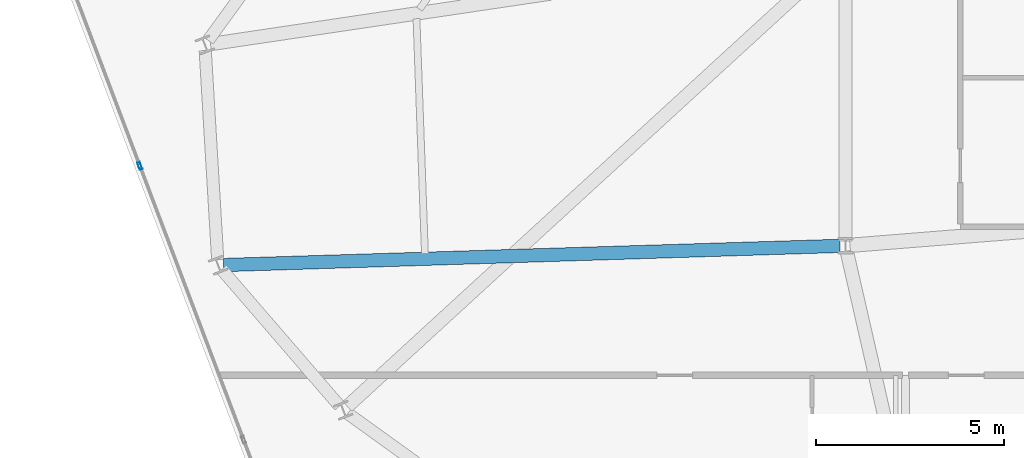
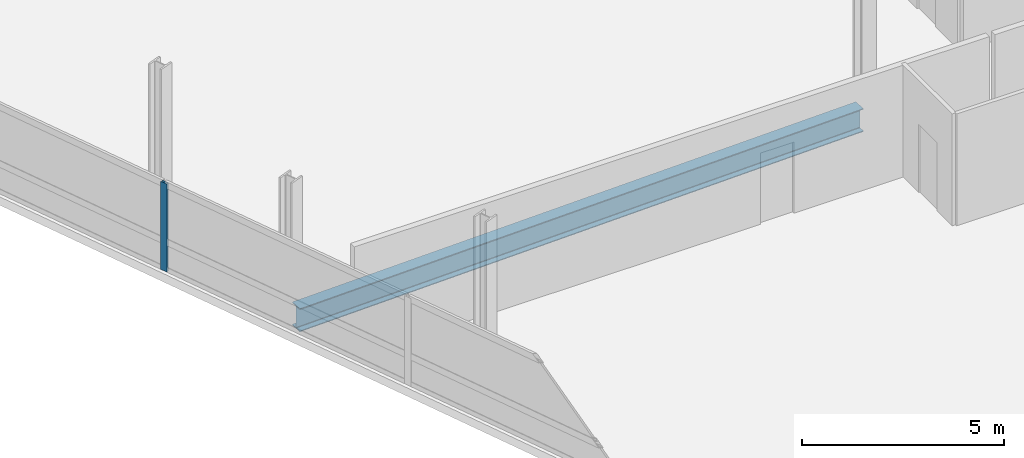
# One storey, part 6 of 19: 1 beam, 1 member, 1 element without a shape of its own.
"""IFC4 building model written with IfcOpenShell, lengths in metres."""

import ifcopenshell
import ifcopenshell.guid

model = None  # the IFC model being written
_history = None  # IfcOwnerHistory: only IFC2X3 demands one
_inside = {}  # id of a spatial element -> (the spatial element, [elements in it])
_under = {}  # id of a project, library or spatial element -> (it, [spatial elements below it])
_declared = {}  # id of a project -> (the project, [libraries it declares])
_typed = {}  # id of a type object -> (the type object, [elements of that type])
_made_of = {}  # id of a material, layer set ... -> (it, [elements and type objects made of it])


def new_model(schema):
    """Start an empty IFC model of exactly this schema.

    Asked for "IFC4X3", IfcOpenShell would pick the latest addendum, in which some entities
    have other attributes; the version numbers below select the first issue.
    IFC2X3 requires an IfcOwnerHistory on every rooted entity: one is made here for all.
    """
    global model, _history
    if schema == "IFC4X3":
        model = ifcopenshell.file(schema_version=(4, 3, 0, 0))
    else:
        model = ifcopenshell.file(schema=schema)
    _inside.clear()
    _under.clear()
    _declared.clear()
    _typed.clear()
    _made_of.clear()
    _history = None
    if model.schema == "IFC2X3":
        org = make("IfcOrganization", Name="unknown")
        user = make(
            "IfcPersonAndOrganization",
            ThePerson=make("IfcPerson", FamilyName="unknown"),
            TheOrganization=org,
        )
        app = make(
            "IfcApplication",
            ApplicationDeveloper=org,
            Version="unknown",
            ApplicationFullName="unknown",
            ApplicationIdentifier="unknown",
        )
        _history = make(
            "IfcOwnerHistory",
            OwningUser=user,
            OwningApplication=app,
            ChangeAction="ADDED",
            CreationDate=0,
        )
    return model


def make(cls, **values):
    """One entity of the class cls with the attributes given. An attribute that is None is left unset."""
    return model.create_entity(
        cls, **{name: value for name, value in values.items() if value is not None}
    )


def rooted(cls, **values):
    """An entity with a GlobalId (a new one), such as an element, a storey or a relation."""
    return make(cls, GlobalId=ifcopenshell.guid.new(), OwnerHistory=_history, **values)


def si_unit(unit_type, name, prefix=None):
    """IfcSIUnit, for example si_unit("LENGTHUNIT", "METRE", prefix="MILLI")."""
    return make("IfcSIUnit", UnitType=unit_type, Prefix=prefix, Name=name)


def assignment(units):
    """IfcUnitAssignment: the units of a project."""
    return None if units is None else make("IfcUnitAssignment", Units=units)


def point(xyz):
    """IfcCartesianPoint."""
    return None if xyz is None else make("IfcCartesianPoint", Coordinates=xyz)


def direction(xyz):
    """IfcDirection."""
    return None if xyz is None else make("IfcDirection", DirectionRatios=xyz)


def frame(location, z_axis=None, x_axis=None):
    """IfcAxis2Placement3D, a coordinate frame: its origin and axes. An axis left out is left unset."""
    return make(
        "IfcAxis2Placement3D",
        Location=point(location),
        Axis=direction(z_axis),
        RefDirection=direction(x_axis),
    )


def frame_2d(location, x_axis=None):
    """IfcAxis2Placement2D, a coordinate frame in the plane: its origin and x axis."""
    return make(
        "IfcAxis2Placement2D", Location=point(location), RefDirection=direction(x_axis)
    )


def origin():
    """The frame at (0, 0, 0) with its axes left unset."""
    return frame((0.0, 0.0, 0.0))


def origin_2d():
    """The frame at (0, 0) in the plane with its x axis left unset."""
    return frame_2d((0.0, 0.0))


def place(relative_to, where):
    """IfcLocalPlacement: puts the frame where relative to a parent placement (None: the world)."""
    return make(
        "IfcLocalPlacement", PlacementRelTo=relative_to, RelativePlacement=where
    )


def context(
    kind, dimensions, precision=None, world=None, true_north=None, identifier=None
):
    """IfcGeometricRepresentationContext, for example the 3D "Model" context."""
    return make(
        "IfcGeometricRepresentationContext",
        ContextIdentifier=identifier,
        ContextType=kind,
        CoordinateSpaceDimension=dimensions,
        Precision=precision,
        WorldCoordinateSystem=world,
        TrueNorth=true_north,
    )


def subcontext(parent, identifier, kind, view, scale=None):
    """IfcGeometricRepresentationSubContext, for example "Body" below "Model"."""
    return make(
        "IfcGeometricRepresentationSubContext",
        ContextIdentifier=identifier,
        ContextType=kind,
        ParentContext=parent,
        TargetScale=scale,
        TargetView=view,
    )


def project(units=None, contexts=None):
    """IfcProject with its units and contexts."""
    return rooted(
        "IfcProject",
        Name="project",
        RepresentationContexts=contexts,
        UnitsInContext=assignment(units),
    )


def spatial(cls, under=None, at=None, **own):
    """A site, building, storey or space (cls), placed at a placement, below another one or the project."""
    s = rooted(cls, ObjectPlacement=at, **own)
    if under is not None:
        _under.setdefault(under.id(), (under, []))[1].append(s)
    return s


def profile(cls, at=None, kind="AREA", **sizes):
    """A parametric profile (cls). Its sizes go by their IFC names, for example OverallWidth=200.0."""
    return make(cls, ProfileType=kind, Position=at, **sizes)


def hollow_rectangle(**sizes):
    """IfcRectangleHollowProfileDef."""
    return profile("IfcRectangleHollowProfileDef", **sizes)


def i_section(**sizes):
    """IfcIShapeProfileDef."""
    return profile("IfcIShapeProfileDef", **sizes)


def extrude(swept, where, along, depth):
    """IfcExtrudedAreaSolid: the profile swept, set in the frame where, extruded along a direction by depth."""
    return make(
        "IfcExtrudedAreaSolid",
        SweptArea=swept,
        Position=where,
        ExtrudedDirection=direction(along),
        Depth=depth,
    )


def shape(context_of_items, identifier, shape_type, items):
    """IfcShapeRepresentation: the items that make up one representation, for example the "Body"."""
    return make(
        "IfcShapeRepresentation",
        ContextOfItems=context_of_items,
        RepresentationIdentifier=identifier,
        RepresentationType=shape_type,
        Items=items,
    )


def material(Name=None, Category=None):
    """IfcMaterial."""
    return make("IfcMaterial", Name=Name, Category=Category)


def layer(
    of_material, thickness, ventilated=None, Name=None, Category=None, Priority=None
):
    """IfcMaterialLayer: one layer of a wall or slab, of a material (None: an air gap)."""
    return make(
        "IfcMaterialLayer",
        Material=of_material,
        LayerThickness=thickness,
        IsVentilated=ventilated,
        Name=Name,
        Category=Category,
        Priority=Priority,
    )


def layer_set(layers, Name=None):
    """IfcMaterialLayerSet."""
    return make("IfcMaterialLayerSet", MaterialLayers=layers, LayerSetName=Name)


def material_profile(
    of_material, cross_section, Name=None, Category=None, Priority=None
):
    """IfcMaterialProfile: a cross section and its material."""
    return make(
        "IfcMaterialProfile",
        Name=Name,
        Material=of_material,
        Profile=cross_section,
        Priority=Priority,
        Category=Category,
    )


def profile_set(profiles, Name=None, composite=None):
    """IfcMaterialProfileSet."""
    return make(
        "IfcMaterialProfileSet",
        Name=Name,
        MaterialProfiles=profiles,
        CompositeProfile=composite,
    )


def made_of(thing, what):
    """Note that an element or type object is made of a material, layer set ...; save() writes the relation."""
    if what is not None:
        _made_of.setdefault(what.id(), (what, []))[1].append(thing)
    return thing


def type_object(cls, material=None, **own):
    """A type object (cls), such as IfcWallType, which elements share."""
    return made_of(rooted(cls, **own), material)


def element(
    cls,
    number,
    at=None,
    inside=None,
    cuts=None,
    type_object=None,
    material=None,
    context=None,
    identifier="Body",
    shape_type=None,
    held_by="IfcProductDefinitionShape",
    body=None,
    shapes=None,
    **own,
):
    """One element of the class cls, such as IfcWall. Its Tag is "e" and its number.

    at: its placement. inside: the storey or other place that contains it. cuts: it is an
    opening in that element (IfcRelVoidsElement). A single representation is given by context,
    identifier, shape_type and body (its items); several are given by shapes. held_by: the class
    of the entity that holds the representations. save() writes the other relations.
    """
    e = rooted(cls, Tag="e%d" % number, ObjectPlacement=at, **own)
    if body is not None:
        shapes = [shape(context, identifier, shape_type, body)]
    if shapes is not None:
        e.Representation = make(held_by, Representations=shapes)
    if inside is not None:
        _inside.setdefault(inside.id(), (inside, []))[1].append(e)
    if cuts is not None:
        rooted(
            "IfcRelVoidsElement", RelatingBuildingElement=cuts, RelatedOpeningElement=e
        )
    if type_object is not None:
        _typed.setdefault(type_object.id(), (type_object, []))[1].append(e)
    return made_of(e, material)


def aggregate(whole, parts):
    """IfcRelAggregates: a whole, such as a stair, and the parts it consists of."""
    return rooted("IfcRelAggregates", RelatingObject=whole, RelatedObjects=parts)


def save(model, path):
    """Write the relations noted so far, then the file.

    IfcRelAggregates (storeys below a building ...), IfcRelContainedInSpatialStructure (elements
    in a storey), IfcRelDefinesByType, IfcRelAssociatesMaterial and IfcRelDeclares: one each for
    every whole, place, type object, material and project.
    """
    for whole, parts in _under.values():
        aggregate(whole, parts)
    for where, things in _inside.values():
        rooted(
            "IfcRelContainedInSpatialStructure",
            RelatedElements=things,
            RelatingStructure=where,
        )
    for kind, things in _typed.values():
        rooted("IfcRelDefinesByType", RelatedObjects=things, RelatingType=kind)
    for what, things in _made_of.values():
        rooted("IfcRelAssociatesMaterial", RelatedObjects=things, RelatingMaterial=what)
    for by, libraries in _declared.values():
        rooted("IfcRelDeclares", RelatingContext=by, RelatedDefinitions=libraries)
    model.write(path)


model = new_model("IFC4")

# Units and contexts
model_context = context("Model", 3, precision=1e-05, world=origin(), true_north=direction((0.0, 1.0)))
body_context = subcontext(model_context, "Body", "Model", "MODEL_VIEW")
ifc_project = project(units=[si_unit("LENGTHUNIT", "METRE"), si_unit("AREAUNIT", "SQUARE_METRE"), si_unit("VOLUMEUNIT", "CUBIC_METRE"), si_unit("PLANEANGLEUNIT", "RADIAN"), si_unit("MASSUNIT", "GRAM", prefix="KILO")], contexts=[model_context])

# Site, building, storey
site_placement = place(None, origin())
site = spatial("IfcSite", under=ifc_project, at=site_placement, CompositionType="ELEMENT")
building_placement = place(site_placement, origin())
building = spatial("IfcBuilding", under=site, at=building_placement, Name="Varnelok Gate Tower", CompositionType="ELEMENT")
storey_placement = place(building_placement, frame((0.0, 0.0, 249.699951171875)))
storey = spatial("IfcBuildingStorey", under=building, at=storey_placement, Name="L64", CompositionType="ELEMENT", Elevation=249.699951171875)

# Beam
ifc_material_1 = material(Name="Structural Steel ASTM A992 Grade 50", Category="steel")
ifc_material_profile_1 = material_profile(ifc_material_1, i_section(OverallWidth=0.35498046875, OverallDepth=0.696044921875, WebThickness=0.015380859375, FlangeThickness=0.02490234375, FilletRadius=0.02001953125, at=origin_2d()), Name="W27X146")
ifc_profile_set_1 = profile_set([ifc_material_profile_1], Name="Structural Steel ASTM A992 Grade 50")
beam_type = type_object("IfcBeamType", Name="BM-PRI-W27X146", PredefinedType="BEAM", material=ifc_profile_set_1)
beam_placement = place(storey_placement, frame((24.25, 18.79541015625, -0.597900390625), z_axis=(-0.999516665435, -0.031087546033, 0.0), x_axis=(0.031087546033, -0.999516665435, 0.0)))
element("IfcBeam", 1, at=beam_placement, inside=storey, type_object=beam_type, Name="L64 Radial Floor Girder 15", PredefinedType="BEAM", context=body_context, shape_type="SweptSolid", body=[
    extrude(i_section(OverallWidth=0.35498046875, OverallDepth=0.696044921875, WebThickness=0.015380859375, FlangeThickness=0.02490234375, FilletRadius=0.02001953125, at=origin_2d()), origin(), (0.0, 0.0, 1.0), 16.413330078125),
])

# Curtain wall, member
ifc_material_2 = material(Name="Anodized Aluminum Alloy 6063-T6", Category="aluminium")
ifc_layer = layer(ifc_material_2, 0.179931640625)
ifc_layer_set = layer_set([ifc_layer], Name="Anodized Aluminum Alloy 6063-T6")
curtain_wall_type = type_object("IfcCurtainWallType", Name="CW4-RESIDENCE-VISION", PredefinedType="USERDEFINED", material=ifc_layer_set)
curtain_wall_placement = place(storey_placement, origin())
curtain_wall = element("IfcCurtainWall", 2, at=curtain_wall_placement, inside=storey, type_object=curtain_wall_type, Name="L64 West End Vision Curtain Wall", ObjectType="UNITISED CURTAIN WALL", PredefinedType="USERDEFINED")
ifc_material_profile_2 = material_profile(ifc_material_2, hollow_rectangle(XDim=0.074951171875, YDim=0.199951171875, WallThickness=0.00390625, at=origin_2d()), Name="ALU200X75X4")
ifc_profile_set_2 = profile_set([ifc_material_profile_2], Name="Anodized Aluminum Alloy 6063-T6")
member_type = type_object("IfcMemberType", Name="CW-MULL-200", PredefinedType="MULLION", material=ifc_profile_set_2)
member_placement = place(storey_placement, frame((5.61328125, 20.9248046875, 0.0), z_axis=(0.0, 0.0, 1.0), x_axis=(-0.935221557832, -0.354063042079, 0.0)))
member = element("IfcMember", 3, at=member_placement, type_object=member_type, Name="CW4 mullion 4", PredefinedType="MULLION", context=body_context, shape_type="SweptSolid", body=[
    extrude(hollow_rectangle(XDim=0.074951171875, YDim=0.199951171875, WallThickness=0.00390625, at=origin_2d()), origin(), (0.0, 0.0, 1.0), 2.66015625),
])
aggregate(curtain_wall, [member])

save(model, "model.ifc")
